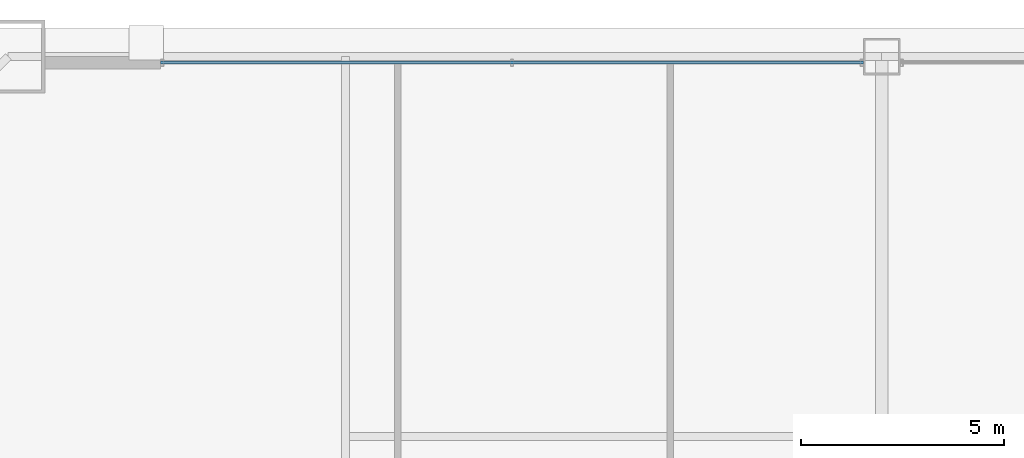
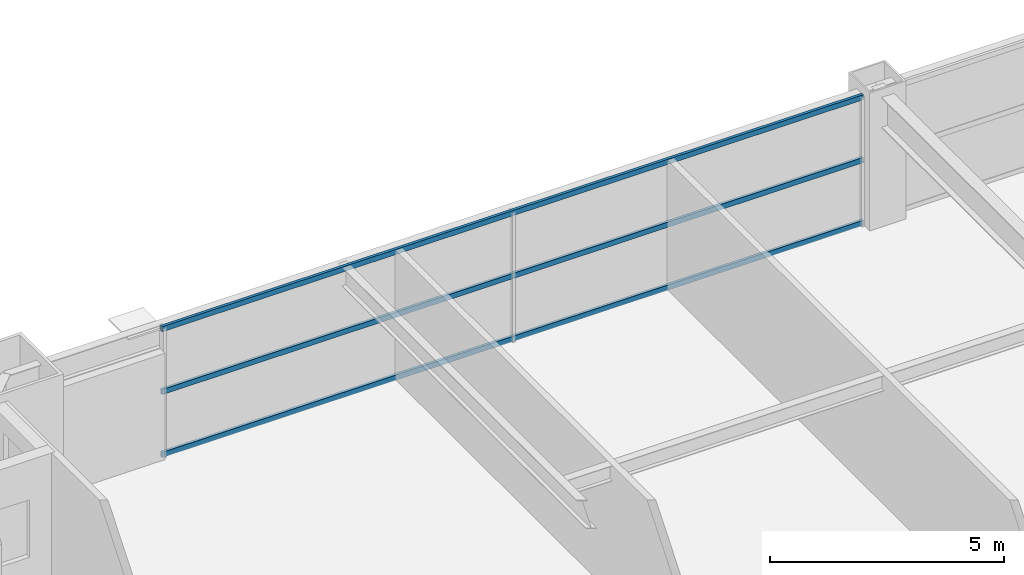
# One storey, part 31 of 46: 3 members, 1 element without a shape of its own.
"""IFC4 building model written with IfcOpenShell, lengths in metres."""

from ifc_helpers import new_model, si_unit, direction, frame, origin, origin_2d, place, context, subcontext, project, spatial, hollow_rectangle, extrude, source, transform, mapped, material, layer, layer_set, material_profile, profile_set, type_object, element, aggregate, save


model = new_model("IFC4")

# Units and contexts
model_context = context("Model", 3, precision=1e-05, world=origin(), true_north=direction((0.0, 1.0)))
body_context = subcontext(model_context, "Body", "Model", "MODEL_VIEW")
ifc_project = project(units=[si_unit("LENGTHUNIT", "METRE"), si_unit("AREAUNIT", "SQUARE_METRE"), si_unit("VOLUMEUNIT", "CUBIC_METRE"), si_unit("PLANEANGLEUNIT", "RADIAN"), si_unit("MASSUNIT", "GRAM", prefix="KILO"), si_unit("THERMODYNAMICTEMPERATUREUNIT", "KELVIN"), si_unit("POWERUNIT", "WATT")], contexts=[model_context])

# Site, building, storey
site_placement = place(None, origin())
site = spatial("IfcSite", under=ifc_project, at=site_placement, CompositionType="ELEMENT")
building_placement = place(site_placement, origin())
building = spatial("IfcBuilding", under=site, at=building_placement, Name="Yuzanri Waterfront Tower", CompositionType="ELEMENT")
storey_placement = place(building_placement, frame((0.0, 0.0, 56.800048828125)))
storey = spatial("IfcBuildingStorey", under=building, at=storey_placement, Name="L14", CompositionType="ELEMENT", Elevation=56.800048828125)

# Curtain wall, members
ifc_material_1 = material(Name="Anodized Architectural Bronze", Category="metal")
ifc_layer = layer(ifc_material_1, 0.159912109375)
ifc_layer_set = layer_set([ifc_layer], Name="Anodized Architectural Bronze")
curtain_wall_type = type_object("IfcCurtainWallType", Name="Anodized Bronze Hotel Lower-Tier Recessed Unitized Curtain Wall 8100", PredefinedType="NOTDEFINED", material=ifc_layer_set)
curtain_wall_placement = place(storey_placement, origin())
curtain_wall = element("IfcCurtainWall", 1, at=curtain_wall_placement, inside=storey, type_object=curtain_wall_type, Name="L14 Curtain Wall CW-L14-NL", PredefinedType="NOTDEFINED")
ifc_material_2 = material(Name="Anodized Architectural Bronze", Category="metal")
ifc_material_profile = material_profile(ifc_material_2, hollow_rectangle(XDim=0.070068359375, YDim=0.135009765625, WallThickness=0.00341796875, at=origin_2d()), Name="CWT 70x135")
ifc_profile_set = profile_set([ifc_material_profile], Name="Anodized Architectural Bronze")
member_type = type_object("IfcMemberType", Name="Anodized Bronze Standard Curtain-Wall Transom 70x135", PredefinedType="USERDEFINED", material=ifc_profile_set)
shared_shape = source(origin(), body_context, "Body", "SweptSolid", [
    extrude(hollow_rectangle(XDim=0.070068359375, YDim=0.135009765625, WallThickness=0.00341796875, at=origin_2d()), origin(), (0.0, 0.0, 1.0), 17.300048828125),
])
member_1_placement = place(storey_placement, frame((19.25, 50.75, 0.050048828125), z_axis=(1.0, 0.0, 0.0), x_axis=(0.0, 1.0, 0.0)))
member_1 = element("IfcMember", 2, at=member_1_placement, type_object=member_type, Name="CW-L14-NL Transom 1", ObjectType="TRANSOM", PredefinedType="USERDEFINED", context=body_context, shape_type="MappedRepresentation", body=[
    mapped(shared_shape, transform((0.0, 0.0, 0.0), scale=1.0)),
])
member_2_placement = place(storey_placement, frame((19.25, 50.75, 1.68994140625), z_axis=(1.0, 0.0, 0.0), x_axis=(0.0, 1.0, 0.0)))
member_2 = element("IfcMember", 3, at=member_2_placement, type_object=member_type, Name="CW-L14-NL Transom 2", ObjectType="TRANSOM", PredefinedType="USERDEFINED", context=body_context, shape_type="MappedRepresentation", body=[
    mapped(shared_shape, transform((0.0, 0.0, 0.0), scale=1.0)),
])
member_3_placement = place(storey_placement, frame((19.25, 50.75, 3.329833984375), z_axis=(1.0, 0.0, 0.0), x_axis=(0.0, 1.0, 0.0)))
member_3 = element("IfcMember", 4, at=member_3_placement, type_object=member_type, Name="CW-L14-NL Transom 3", ObjectType="TRANSOM", PredefinedType="USERDEFINED", context=body_context, shape_type="MappedRepresentation", body=[
    mapped(shared_shape, transform((0.0, 0.0, 0.0), scale=1.0)),
])
aggregate(curtain_wall, [member_1, member_2, member_3])

save(model, "model.ifc")
